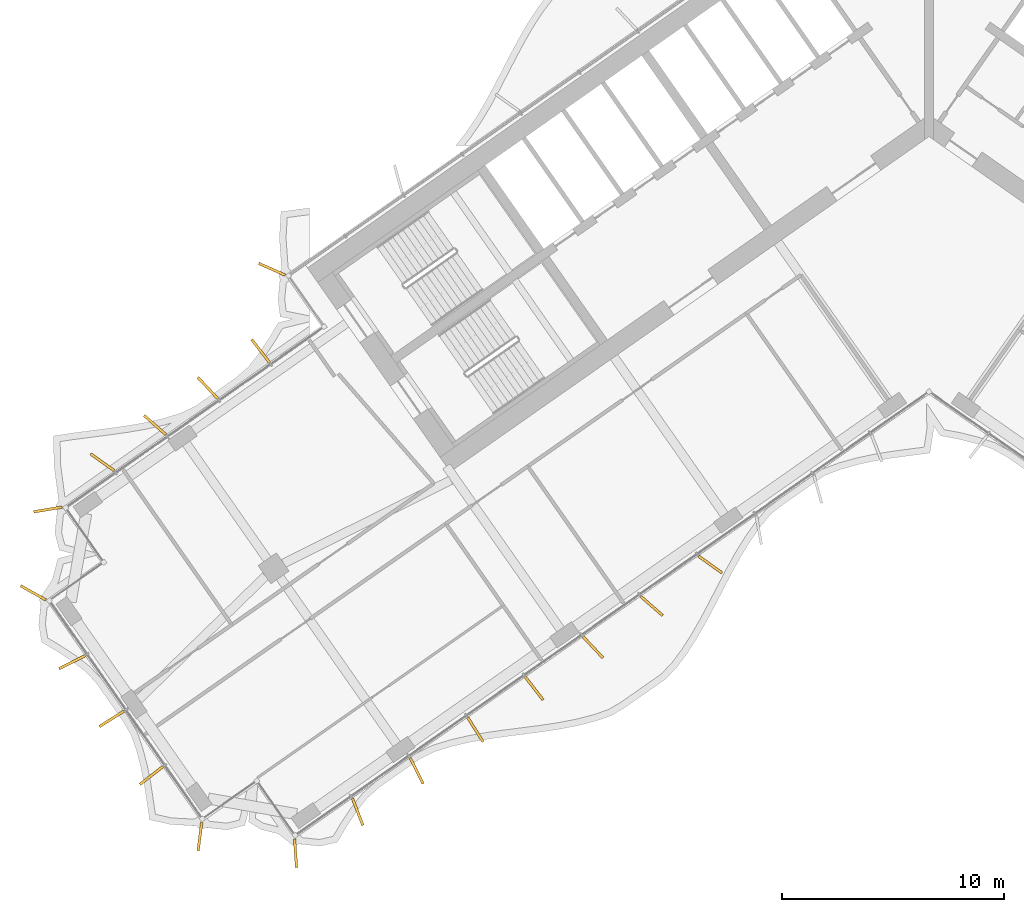
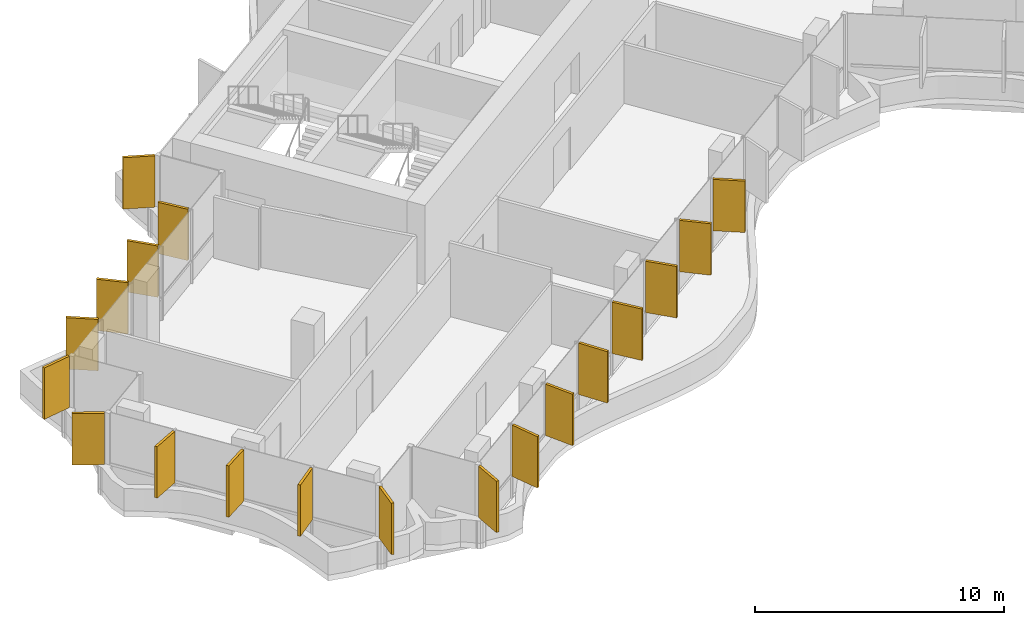
# One storey, part 17 of 21: 19 shading devices.
"""IFC4 building model written with IfcOpenShell, lengths in metres."""

from ifc_helpers import new_model, si_unit, direction, frame, origin, origin_2d, place, context, subcontext, project, spatial, rectangle, extrude, material, layer, layer_set, type_object, element, save


model = new_model("IFC4")

# Units and contexts
model_context = context("Model", 3, precision=1e-05, world=origin(), true_north=direction((0.0, 1.0)))
body_context = subcontext(model_context, "Body", "Model", "MODEL_VIEW")
ifc_project = project(units=[si_unit("LENGTHUNIT", "METRE"), si_unit("AREAUNIT", "SQUARE_METRE"), si_unit("VOLUMEUNIT", "CUBIC_METRE"), si_unit("PLANEANGLEUNIT", "RADIAN"), si_unit("MASSUNIT", "GRAM", prefix="KILO")], contexts=[model_context])

# Site, building, storey
site_placement = place(None, origin())
site = spatial("IfcSite", under=ifc_project, at=site_placement, CompositionType="ELEMENT")
building_placement = place(site_placement, origin())
building = spatial("IfcBuilding", under=site, at=building_placement, Name="Tel Ilan Convention Tower", CompositionType="ELEMENT")
storey_placement = place(building_placement, frame((0.0, 0.0, 151.5)))
storey = spatial("IfcBuildingStorey", under=building, at=storey_placement, Name="L34", CompositionType="ELEMENT", Elevation=151.5)

# Shading devices
ifc_material = material(Name="Aluminium, bronze anodised", Category="aluminium")
ifc_layer = layer(ifc_material, 0.1201171875)
ifc_layer_set = layer_set([ifc_layer], Name="FIN BRONZE 1300x120")
shading_device_type = type_object("IfcShadingDeviceType", Name="FIN BRONZE 1300x120", PredefinedType="USERDEFINED", material=ifc_layer_set)
for number, where, z_axis, x_axis, name in (
    (1, (-29.56689453125, -7.193359375, 1.10009765625), (0.0, 0.0, 1.0), (-0.914332505315, 0.404964282034, 0.0), "FIN"),
    (2, (-30.078857421875, -10.865966796875, 1.10009765625), (0.0, 0.0, 1.0), (-0.612600545196, 0.790392669516, 0.0), "FIN"),
    (3, (-32.456298828125, -12.531005859375, 1.10009765625), (0.0, 0.0, 1.0), (-0.686241637865, 0.727373641577, 0.0), "FIN"),
    (4, (-34.82958984375, -14.20068359375, 1.10009765625), (0.0, 0.0, 1.0), (-0.753435896329, 0.657521368568, 0.0), "FIN"),
    (5, (-37.1982421875, -15.87451171875, 1.10009765625), (0.0, 0.0, 1.0), (-0.813552070258, 0.581492071294, 0.0), "FIN"),
    (6, (-39.64501953125, -18.000732421875, 1.10009765625), (0.0, 0.0, 1.0), (-0.986445172547, -0.16409119891, 0.0), "FIN"),
    (7, (-40.306640625, -21.752685546875, 1.10009765625), (0.0, 0.0, 1.0), (-0.870832754082, 0.491579408049, 0.0), "FIN"),
    (8, (-38.5595703125, -24.870361328125, 1.10009765625), (0.0, 0.0, 1.0), (-0.893632640321, -0.448799180206, 0.0), "FIN"),
    (9, (-36.7744140625, -27.42041015625, 1.10009765625), (0.0, 0.0, 1.0), (-0.845986425922, -0.533204432798, 0.0), "FIN"),
    (10, (-34.989013671875, -29.970458984375, 1.10009765625), (0.0, 0.0, 1.0), (-0.790392669516, -0.612600545196, 0.0), "FIN"),
    (11, (-32.805908203125, -32.716552734375, 1.10009765625), (0.0, 0.0, 1.0), (-0.125718016748, -0.992066016082, 0.0), "FIN"),
    (12, (-28.50390625, -33.46826171875, 1.10009765625), (0.0, 0.0, 1.0), (0.067821812994, -0.997697449973, 0.0), "FIN"),
    (13, (-25.70849609375, -31.606689453125, 1.10009765625), (0.0, 0.0, 1.0), (0.360177724803, -0.932883704733, 0.0), "FIN"),
    (14, (-23.05908203125, -29.759521484375, 1.10009765625), (0.0, 0.0, 1.0), (0.448799180206, -0.893632640321, 0.0), "FIN"),
    (15, (-20.41259765625, -27.90673828125, 1.10009765625), (0.0, 0.0, 1.0), (0.533204432798, -0.845986425922, 0.0), "FIN"),
    (16, (-17.765869140625, -26.053466796875, 1.10009765625), (0.0, 0.0, 1.0), (0.612600545196, -0.790392669516, 0.0), "FIN"),
    (17, (-15.11962890625, -24.2001953125, 1.10009765625), (0.0, 0.0, 1.0), (0.686241637865, -0.727373641577, 0.0), "FIN"),
    (18, (-12.4775390625, -22.34228515625, 1.10009765625), (0.0, 0.0, 1.0), (0.753435896329, -0.657521368568, 0.0), "FIN"),
    (19, (-9.84033203125, -20.48046875, 1.10009765625), (0.0, 0.0, 1.0), (0.813552070258, -0.581492071294, 0.0), "FIN"),
):
    element("IfcShadingDevice", number, at=place(storey_placement, frame(where, z_axis=z_axis, x_axis=x_axis)), inside=storey, type_object=shading_device_type, Name=name, ObjectType="FIN", PredefinedType="USERDEFINED", context=body_context, shape_type="SweptSolid", body=[
        extrude(rectangle(XDim=1.300048828125, YDim=0.1201171875, at=origin_2d()), origin(), (0.0, 0.0, 1.0), 2.52001953125),
    ])

save(model, "model.ifc")
